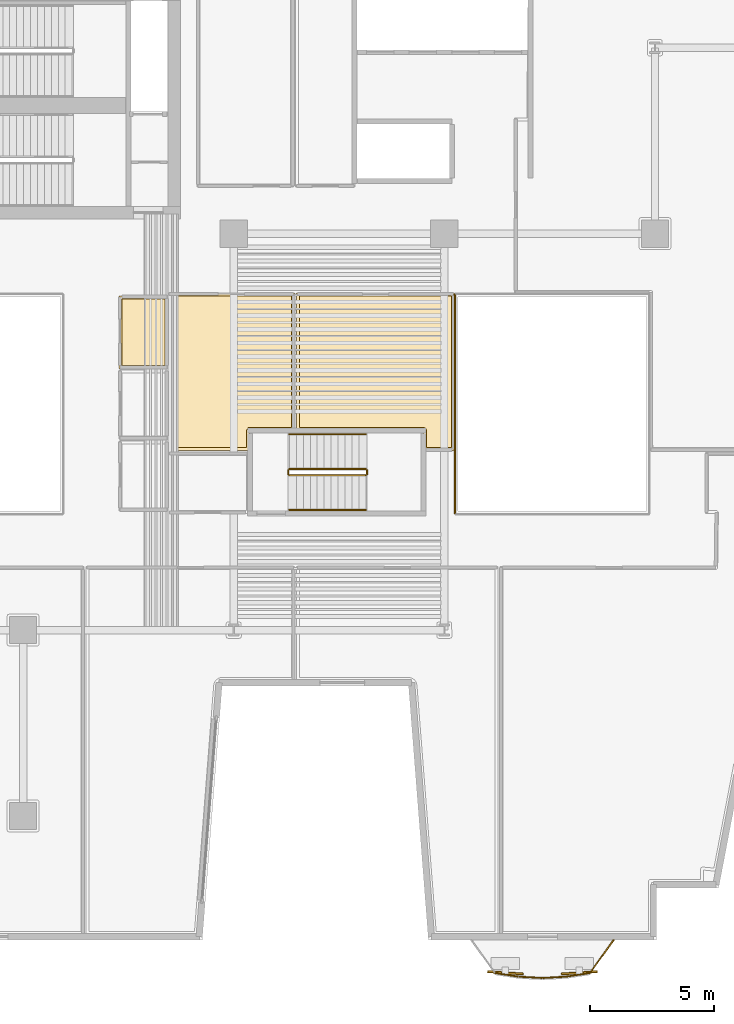
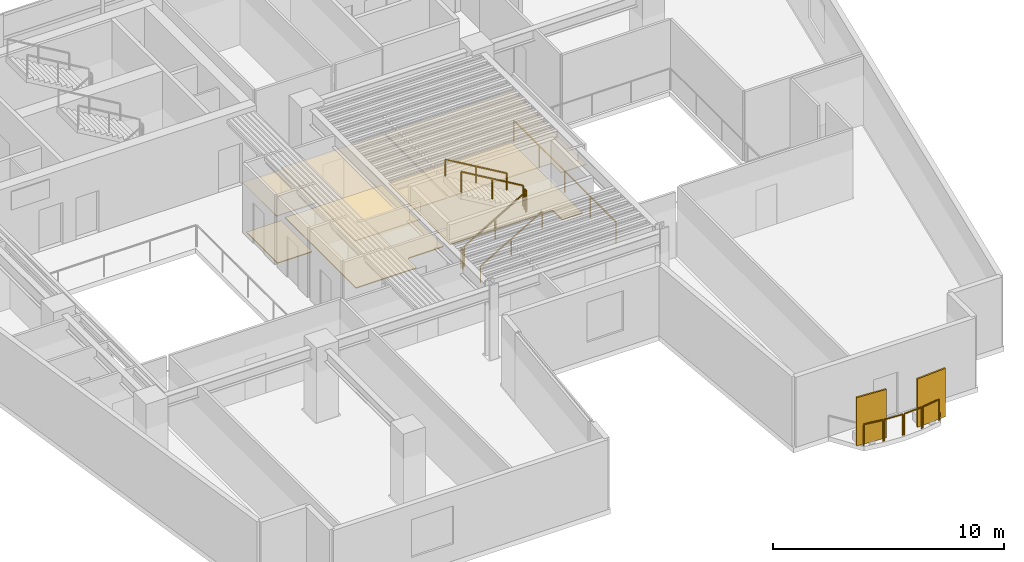
# One storey, part 10 of 12: 12 railings, 6 coverings, 2 shading devices.
"""IFC4 building model written with IfcOpenShell, lengths in metres."""

import ifcopenshell
import ifcopenshell.guid

model = None  # the IFC model being written
_history = None  # IfcOwnerHistory: only IFC2X3 demands one
_inside = {}  # id of a spatial element -> (the spatial element, [elements in it])
_under = {}  # id of a project, library or spatial element -> (it, [spatial elements below it])
_declared = {}  # id of a project -> (the project, [libraries it declares])
_typed = {}  # id of a type object -> (the type object, [elements of that type])
_made_of = {}  # id of a material, layer set ... -> (it, [elements and type objects made of it])


def new_model(schema):
    """Start an empty IFC model of exactly this schema.

    Asked for "IFC4X3", IfcOpenShell would pick the latest addendum, in which some entities
    have other attributes; the version numbers below select the first issue.
    IFC2X3 requires an IfcOwnerHistory on every rooted entity: one is made here for all.
    """
    global model, _history
    if schema == "IFC4X3":
        model = ifcopenshell.file(schema_version=(4, 3, 0, 0))
    else:
        model = ifcopenshell.file(schema=schema)
    _inside.clear()
    _under.clear()
    _declared.clear()
    _typed.clear()
    _made_of.clear()
    _history = None
    if model.schema == "IFC2X3":
        org = make("IfcOrganization", Name="unknown")
        user = make(
            "IfcPersonAndOrganization",
            ThePerson=make("IfcPerson", FamilyName="unknown"),
            TheOrganization=org,
        )
        app = make(
            "IfcApplication",
            ApplicationDeveloper=org,
            Version="unknown",
            ApplicationFullName="unknown",
            ApplicationIdentifier="unknown",
        )
        _history = make(
            "IfcOwnerHistory",
            OwningUser=user,
            OwningApplication=app,
            ChangeAction="ADDED",
            CreationDate=0,
        )
    return model


def make(cls, **values):
    """One entity of the class cls with the attributes given. An attribute that is None is left unset."""
    return model.create_entity(
        cls, **{name: value for name, value in values.items() if value is not None}
    )


def rooted(cls, **values):
    """An entity with a GlobalId (a new one), such as an element, a storey or a relation."""
    return make(cls, GlobalId=ifcopenshell.guid.new(), OwnerHistory=_history, **values)


def si_unit(unit_type, name, prefix=None):
    """IfcSIUnit, for example si_unit("LENGTHUNIT", "METRE", prefix="MILLI")."""
    return make("IfcSIUnit", UnitType=unit_type, Prefix=prefix, Name=name)


def assignment(units):
    """IfcUnitAssignment: the units of a project."""
    return None if units is None else make("IfcUnitAssignment", Units=units)


def point(xyz):
    """IfcCartesianPoint."""
    return None if xyz is None else make("IfcCartesianPoint", Coordinates=xyz)


def direction(xyz):
    """IfcDirection."""
    return None if xyz is None else make("IfcDirection", DirectionRatios=xyz)


def frame(location, z_axis=None, x_axis=None):
    """IfcAxis2Placement3D, a coordinate frame: its origin and axes. An axis left out is left unset."""
    return make(
        "IfcAxis2Placement3D",
        Location=point(location),
        Axis=direction(z_axis),
        RefDirection=direction(x_axis),
    )


def frame_2d(location, x_axis=None):
    """IfcAxis2Placement2D, a coordinate frame in the plane: its origin and x axis."""
    return make(
        "IfcAxis2Placement2D", Location=point(location), RefDirection=direction(x_axis)
    )


def origin():
    """The frame at (0, 0, 0) with its axes left unset."""
    return frame((0.0, 0.0, 0.0))


def origin_2d():
    """The frame at (0, 0) in the plane with its x axis left unset."""
    return frame_2d((0.0, 0.0))


def place(relative_to, where):
    """IfcLocalPlacement: puts the frame where relative to a parent placement (None: the world)."""
    return make(
        "IfcLocalPlacement", PlacementRelTo=relative_to, RelativePlacement=where
    )


def context(
    kind, dimensions, precision=None, world=None, true_north=None, identifier=None
):
    """IfcGeometricRepresentationContext, for example the 3D "Model" context."""
    return make(
        "IfcGeometricRepresentationContext",
        ContextIdentifier=identifier,
        ContextType=kind,
        CoordinateSpaceDimension=dimensions,
        Precision=precision,
        WorldCoordinateSystem=world,
        TrueNorth=true_north,
    )


def subcontext(parent, identifier, kind, view, scale=None):
    """IfcGeometricRepresentationSubContext, for example "Body" below "Model"."""
    return make(
        "IfcGeometricRepresentationSubContext",
        ContextIdentifier=identifier,
        ContextType=kind,
        ParentContext=parent,
        TargetScale=scale,
        TargetView=view,
    )


def project(units=None, contexts=None):
    """IfcProject with its units and contexts."""
    return rooted(
        "IfcProject",
        Name="project",
        RepresentationContexts=contexts,
        UnitsInContext=assignment(units),
    )


def spatial(cls, under=None, at=None, **own):
    """A site, building, storey or space (cls), placed at a placement, below another one or the project."""
    s = rooted(cls, ObjectPlacement=at, **own)
    if under is not None:
        _under.setdefault(under.id(), (under, []))[1].append(s)
    return s


def polyline(points):
    """IfcPolyline through the points."""
    return make("IfcPolyline", Points=[point(p) for p in points])


def profile(cls, at=None, kind="AREA", **sizes):
    """A parametric profile (cls). Its sizes go by their IFC names, for example OverallWidth=200.0."""
    return make(cls, ProfileType=kind, Position=at, **sizes)


def rectangle(**sizes):
    """IfcRectangleProfileDef."""
    return profile("IfcRectangleProfileDef", **sizes)


def outline(outer, holes=None, kind="AREA"):
    """IfcArbitraryClosedProfileDef: a profile drawn as a closed curve; with holes, ...WithVoids."""
    if holes is None:
        return make("IfcArbitraryClosedProfileDef", ProfileType=kind, OuterCurve=outer)
    return make(
        "IfcArbitraryProfileDefWithVoids",
        ProfileType=kind,
        OuterCurve=outer,
        InnerCurves=holes,
    )


def extrude(swept, where, along, depth):
    """IfcExtrudedAreaSolid: the profile swept, set in the frame where, extruded along a direction by depth."""
    return make(
        "IfcExtrudedAreaSolid",
        SweptArea=swept,
        Position=where,
        ExtrudedDirection=direction(along),
        Depth=depth,
    )


def shape(context_of_items, identifier, shape_type, items):
    """IfcShapeRepresentation: the items that make up one representation, for example the "Body"."""
    return make(
        "IfcShapeRepresentation",
        ContextOfItems=context_of_items,
        RepresentationIdentifier=identifier,
        RepresentationType=shape_type,
        Items=items,
    )


def material(Name=None, Category=None):
    """IfcMaterial."""
    return make("IfcMaterial", Name=Name, Category=Category)


def layer(
    of_material, thickness, ventilated=None, Name=None, Category=None, Priority=None
):
    """IfcMaterialLayer: one layer of a wall or slab, of a material (None: an air gap)."""
    return make(
        "IfcMaterialLayer",
        Material=of_material,
        LayerThickness=thickness,
        IsVentilated=ventilated,
        Name=Name,
        Category=Category,
        Priority=Priority,
    )


def layer_set(layers, Name=None):
    """IfcMaterialLayerSet."""
    return make("IfcMaterialLayerSet", MaterialLayers=layers, LayerSetName=Name)


def made_of(thing, what):
    """Note that an element or type object is made of a material, layer set ...; save() writes the relation."""
    if what is not None:
        _made_of.setdefault(what.id(), (what, []))[1].append(thing)
    return thing


def type_object(cls, material=None, **own):
    """A type object (cls), such as IfcWallType, which elements share."""
    return made_of(rooted(cls, **own), material)


def element(
    cls,
    number,
    at=None,
    inside=None,
    cuts=None,
    type_object=None,
    material=None,
    context=None,
    identifier="Body",
    shape_type=None,
    held_by="IfcProductDefinitionShape",
    body=None,
    shapes=None,
    **own,
):
    """One element of the class cls, such as IfcWall. Its Tag is "e" and its number.

    at: its placement. inside: the storey or other place that contains it. cuts: it is an
    opening in that element (IfcRelVoidsElement). A single representation is given by context,
    identifier, shape_type and body (its items); several are given by shapes. held_by: the class
    of the entity that holds the representations. save() writes the other relations.
    """
    e = rooted(cls, Tag="e%d" % number, ObjectPlacement=at, **own)
    if body is not None:
        shapes = [shape(context, identifier, shape_type, body)]
    if shapes is not None:
        e.Representation = make(held_by, Representations=shapes)
    if inside is not None:
        _inside.setdefault(inside.id(), (inside, []))[1].append(e)
    if cuts is not None:
        rooted(
            "IfcRelVoidsElement", RelatingBuildingElement=cuts, RelatedOpeningElement=e
        )
    if type_object is not None:
        _typed.setdefault(type_object.id(), (type_object, []))[1].append(e)
    return made_of(e, material)


def aggregate(whole, parts):
    """IfcRelAggregates: a whole, such as a stair, and the parts it consists of."""
    return rooted("IfcRelAggregates", RelatingObject=whole, RelatedObjects=parts)


def save(model, path):
    """Write the relations noted so far, then the file.

    IfcRelAggregates (storeys below a building ...), IfcRelContainedInSpatialStructure (elements
    in a storey), IfcRelDefinesByType, IfcRelAssociatesMaterial and IfcRelDeclares: one each for
    every whole, place, type object, material and project.
    """
    for whole, parts in _under.values():
        aggregate(whole, parts)
    for where, things in _inside.values():
        rooted(
            "IfcRelContainedInSpatialStructure",
            RelatedElements=things,
            RelatingStructure=where,
        )
    for kind, things in _typed.values():
        rooted("IfcRelDefinesByType", RelatedObjects=things, RelatingType=kind)
    for what, things in _made_of.values():
        rooted("IfcRelAssociatesMaterial", RelatedObjects=things, RelatingMaterial=what)
    for by, libraries in _declared.values():
        rooted("IfcRelDeclares", RelatingContext=by, RelatedDefinitions=libraries)
    model.write(path)


model = new_model("IFC4")

# Units and contexts
model_context = context("Model", 3, precision=1e-05, world=origin(), true_north=direction((0.0, 1.0)))
body_context = subcontext(model_context, "Body", "Model", "MODEL_VIEW")
ifc_project = project(units=[si_unit("LENGTHUNIT", "METRE"), si_unit("AREAUNIT", "SQUARE_METRE"), si_unit("VOLUMEUNIT", "CUBIC_METRE"), si_unit("PLANEANGLEUNIT", "RADIAN"), si_unit("MASSUNIT", "GRAM", prefix="KILO")], contexts=[model_context])

# Site, building, storey
site_placement = place(None, origin())
site = spatial("IfcSite", under=ifc_project, at=site_placement, CompositionType="ELEMENT")
building_placement = place(site_placement, origin())
building = spatial("IfcBuilding", under=site, at=building_placement, Name="Caeloran Harvest Quay", CompositionType="ELEMENT")
storey_placement = place(building_placement, frame((0.0, 0.0, 146.949951171875)))
storey = spatial("IfcBuildingStorey", under=building, at=storey_placement, Name="L34", CompositionType="ELEMENT", Elevation=146.949951171875)

# Coverings
ifc_material_1 = material(Name="Perforated Mineral-Fibre Acoustic Ceiling Tile", Category="ceiling")
ifc_layer_1 = layer(ifc_material_1, 0.0400390625, Name="Perforated Mineral-Fibre Acoustic Ceiling Tile")
ifc_layer_set_1 = layer_set([ifc_layer_1], Name="Perforated Mineral-Fibre Acoustic Ceiling Tile")
covering_type_1 = type_object("IfcCoveringType", Name="COV-CEILING-ACOUSTIC", PredefinedType="CEILING", material=ifc_layer_set_1)
covering_1_placement = place(storey_placement, frame((0.0, 0.0, 2.60009765625)))
element("IfcCovering", 1, at=covering_1_placement, inside=storey, type_object=covering_type_1, Name="L34 Male Washroom WC Acoustic Ceiling", PredefinedType="CEILING", context=body_context, shape_type="SweptSolid", body=[
    extrude(outline(polyline([(22.840087890625, 25.56005859375), (20.8701171875, 25.56005859375), (20.8701171875, 28.489990234375), (22.840087890625, 28.489990234375), (22.840087890625, 25.56005859375)])), origin(), (0.0, 0.0, 1.0), 0.0400390625),
])
covering_2_placement = place(storey_placement, frame((0.0, 0.0, 2.60009765625)))
element("IfcCovering", 2, at=covering_2_placement, inside=storey, type_object=covering_type_1, Name="Client Reception Salon Lounge Acoustic Ceiling", PredefinedType="CEILING", context=body_context, shape_type="SweptSolid", body=[
    extrude(outline(polyline([(22.8701171875, 28.512939453125), (22.85009765625, 28.52001953125), (22.85009765625, 28.610107421875), (27.9599609375, 28.610107421875), (27.9599609375, 23.06005859375), (26.139892578125, 23.06005859375), (26.139892578125, 22.239990234375), (22.8701171875, 22.239990234375), (22.8701171875, 28.512939453125)])), origin(), (0.0, 0.0, 1.0), 0.0400390625),
])
covering_3_placement = place(storey_placement, frame((0.0, 0.0, 2.60009765625)))
element("IfcCovering", 3, at=covering_3_placement, inside=storey, type_object=covering_type_1, Name="Supply-Chain Digital Trading Floor Office 9 Acoustic Ceiling", PredefinedType="CEILING", context=body_context, shape_type="SweptSolid", body=[
    extrude(outline(polyline([(33.159912109375, 23.06005859375), (28.0400390625, 23.06005859375), (28.0400390625, 28.610107421875), (34.409912109375, 28.610107421875), (34.409912109375, 22.239990234375), (33.159912109375, 22.239990234375), (33.159912109375, 23.06005859375)])), origin(), (0.0, 0.0, 1.0), 0.0400390625),
])
ifc_material_2 = material(Name="Calcium-Sulphate Raised Access Floor and Terrazzo Finish", Category="flooring")
ifc_layer_2 = layer(ifc_material_2, 0.050048828125, Name="Calcium-Sulphate Raised Access Floor and Terrazzo Finish")
ifc_layer_set_2 = layer_set([ifc_layer_2], Name="Calcium-Sulphate Raised Access Floor and Terrazzo Finish")
covering_type_2 = type_object("IfcCoveringType", Name="COV-FLOOR-RAISED", PredefinedType="FLOORING", material=ifc_layer_set_2)
covering_4_placement = place(storey_placement, origin())
element("IfcCovering", 4, at=covering_4_placement, inside=storey, type_object=covering_type_2, Name="L34 Male Washroom WC Raised Finish Flooring", PredefinedType="FLOORING", context=body_context, shape_type="SweptSolid", body=[
    extrude(outline(polyline([(22.719970703125, 25.679931640625), (20.989990234375, 25.679931640625), (20.989990234375, 28.3701171875), (22.719970703125, 28.3701171875), (22.719970703125, 25.679931640625)])), origin(), (0.0, 0.0, 1.0), 0.050048828125),
])
covering_5_placement = place(storey_placement, origin())
element("IfcCovering", 5, at=covering_5_placement, inside=storey, type_object=covering_type_2, Name="Client Reception Salon Lounge Raised Finish Flooring", PredefinedType="FLOORING", context=body_context, shape_type="SweptSolid", body=[
    extrude(outline(polyline([(22.989990234375, 28.489990234375), (27.840087890625, 28.489990234375), (27.840087890625, 23.179931640625), (26.084228515625, 23.169921875), (26.020263671875, 23.076904296875), (26.02001953125, 22.360107421875), (22.989990234375, 22.360107421875), (22.989990234375, 28.489990234375)])), origin(), (0.0, 0.0, 1.0), 0.050048828125),
])
covering_6_placement = place(storey_placement, origin())
element("IfcCovering", 6, at=covering_6_placement, inside=storey, type_object=covering_type_2, Name="Supply-Chain Digital Trading Floor Office 9 Raised Finish Flooring", PredefinedType="FLOORING", context=body_context, shape_type="SweptSolid", body=[
    extrude(outline(polyline([(33.280029296875, 23.070068359375), (33.25048828125, 23.14501953125), (33.169921875, 23.179931640625), (28.159912109375, 23.179931640625), (28.159912109375, 28.489990234375), (34.2900390625, 28.489990234375), (34.2900390625, 22.360107421875), (33.280029296875, 22.360107421875), (33.280029296875, 23.070068359375)])), origin(), (0.0, 0.0, 1.0), 0.050048828125),
])

# Railings
ifc_material_3 = material(Name="Powder-Coated Steel Post and Laminated Glass Guardrail", Category="steel")
ifc_layer_3 = layer(ifc_material_3, 0.06005859375, Name="Powder-Coated Steel Post and Laminated Glass Guardrail")
ifc_layer_set_3 = layer_set([ifc_layer_3], Name="Powder-Coated Steel Post and Laminated Glass Guardrail")
railing_type_1 = type_object("IfcRailingType", Name="GUARD-ATRIUM-1150", PredefinedType="GUARDRAIL", material=ifc_layer_set_3)
railing_1_placement = place(storey_placement, frame((34.429931640625, 28.5380859375, 0.0)))
element("IfcRailing", 7, at=railing_1_placement, inside=storey, type_object=railing_type_1, Name="L34 East Botanical Lightwell Guardrail Seg 4", PredefinedType="GUARDRAIL", context=body_context, shape_type="SweptSolid", body=[
    extrude(rectangle(XDim=0.048095703125, YDim=0.048095703125, at=origin_2d()), frame((0.0, 0.0, 1.1259765625), z_axis=(0.0, -1.0, 0.0), x_axis=(1.0, 0.0, 0.0)), (0.0, 0.0, 1.0), 8.826171875),
    extrude(rectangle(XDim=0.0419921875, YDim=0.0419921875, at=origin_2d()), origin(), (0.0, 0.0, 1.0), 1.101806640625),
    extrude(rectangle(XDim=0.0419921875, YDim=0.0419921875, at=origin_2d()), frame((0.0, -2.20654296875, 0.0)), (0.0, 0.0, 1.0), 1.101806640625),
    extrude(rectangle(XDim=0.0419921875, YDim=0.0419921875, at=origin_2d()), frame((0.0, -4.4130859375, 0.0)), (0.0, 0.0, 1.0), 1.101806640625),
    extrude(rectangle(XDim=0.0419921875, YDim=0.0419921875, at=origin_2d()), frame((0.0, -6.61962890625, 0.0)), (0.0, 0.0, 1.0), 1.101806640625),
    extrude(rectangle(XDim=0.0419921875, YDim=0.0419921875, at=origin_2d()), frame((0.0, -8.826171875, 0.0)), (0.0, 0.0, 1.0), 1.101806640625),
])
ifc_material_4 = material(Name="Laminated Safety Glass and Stainless Steel 316", Category="steel")
ifc_layer_4 = layer(ifc_material_4, 0.06005859375, Name="Laminated Safety Glass and Stainless Steel 316")
ifc_layer_set_4 = layer_set([ifc_layer_4], Name="Laminated Safety Glass and Stainless Steel 316")
railing_type_2 = type_object("IfcRailingType", Name="GUARD-BALUSTRADE-1150", PredefinedType="BALUSTRADE", material=ifc_layer_set_4)
railing_2_placement = place(storey_placement, frame((40.825927734375, 2.47998046875, 0.0)))
element("IfcRailing", 8, at=railing_2_placement, inside=storey, type_object=railing_type_2, Name="L34 Planted Balcony Perimeter Balustrade Guard Seg 1", PredefinedType="BALUSTRADE", context=body_context, shape_type="SweptSolid", body=[
    extrude(rectangle(XDim=0.048095703125, YDim=0.048095703125, at=origin_2d()), frame((0.0, 0.0, 1.1259765625), z_axis=(-0.58654437313, -0.809917093504, 0.0), x_axis=(0.809917093504, -0.58654437313, 0.0)), (0.0, 0.0, 1.0), 1.597900390625),
    extrude(rectangle(XDim=0.0419921875, YDim=0.0419921875, at=origin_2d()), origin(), (0.0, 0.0, 1.0), 1.101806640625),
    extrude(rectangle(XDim=0.0419921875, YDim=0.0419921875, at=origin_2d()), frame((-0.937255859375, -1.294189453125, 0.0)), (0.0, 0.0, 1.0), 1.101806640625),
])
railing_3_placement = place(storey_placement, frame((39.838134765625, 1.1552734375, 0.0)))
element("IfcRailing", 9, at=railing_3_placement, inside=storey, type_object=railing_type_2, Name="L34 Planted Balcony Perimeter Balustrade Guard Seg 2", PredefinedType="BALUSTRADE", context=body_context, shape_type="SweptSolid", body=[
    extrude(rectangle(XDim=0.048095703125, YDim=0.048095703125, at=origin_2d()), frame((0.0, 0.0, 1.1259765625), z_axis=(-0.988437224275, -0.151630648843, 0.0), x_axis=(0.151630648843, -0.988437224275, 0.0)), (0.0, 0.0, 1.0), 0.9033203125),
    extrude(rectangle(XDim=0.0419921875, YDim=0.0419921875, at=origin_2d()), origin(), (0.0, 0.0, 1.0), 1.101806640625),
    extrude(rectangle(XDim=0.0419921875, YDim=0.0419921875, at=origin_2d()), frame((-0.892822265625, -0.136962890625, 0.0)), (0.0, 0.0, 1.0), 1.101806640625),
])
railing_4_placement = place(storey_placement, frame((38.8818359375, 1.01171875, 0.0)))
element("IfcRailing", 10, at=railing_4_placement, inside=storey, type_object=railing_type_2, Name="L34 Planted Balcony Perimeter Balustrade Guard Seg 3", PredefinedType="BALUSTRADE", context=body_context, shape_type="SweptSolid", body=[
    extrude(rectangle(XDim=0.048095703125, YDim=0.048095703125, at=origin_2d()), frame((0.0, 0.0, 1.1259765625), z_axis=(-0.998446031047, -0.055727220338, 0.0), x_axis=(0.055727220338, -0.998446031047, 0.0)), (0.0, 0.0, 1.0), 0.893798828125),
    extrude(rectangle(XDim=0.0419921875, YDim=0.0419921875, at=origin_2d()), origin(), (0.0, 0.0, 1.0), 1.101806640625),
    extrude(rectangle(XDim=0.0419921875, YDim=0.0419921875, at=origin_2d()), frame((-0.892333984375, -0.0498046875, 0.0)), (0.0, 0.0, 1.0), 1.101806640625),
])
railing_5_placement = place(storey_placement, frame((37.925537109375, 0.9619140625, 0.0)))
element("IfcRailing", 11, at=railing_5_placement, inside=storey, type_object=railing_type_2, Name="L34 Planted Balcony Perimeter Balustrade Guard Seg 4", PredefinedType="BALUSTRADE", context=body_context, shape_type="SweptSolid", body=[
    extrude(rectangle(XDim=0.048095703125, YDim=0.048095703125, at=origin_2d()), frame((0.0, 0.0, 1.1259765625), z_axis=(-0.998446031047, 0.055727220338, 0.0), x_axis=(-0.055727220338, -0.998446031047, 0.0)), (0.0, 0.0, 1.0), 0.893798828125),
    extrude(rectangle(XDim=0.0419921875, YDim=0.0419921875, at=origin_2d()), origin(), (0.0, 0.0, 1.0), 1.101806640625),
    extrude(rectangle(XDim=0.0419921875, YDim=0.0419921875, at=origin_2d()), frame((-0.892333984375, 0.0498046875, 0.0)), (0.0, 0.0, 1.0), 1.101806640625),
])
railing_6_placement = place(storey_placement, frame((36.9697265625, 1.018310546875, 0.0)))
element("IfcRailing", 12, at=railing_6_placement, inside=storey, type_object=railing_type_2, Name="L34 Planted Balcony Perimeter Balustrade Guard Seg 5", PredefinedType="BALUSTRADE", context=body_context, shape_type="SweptSolid", body=[
    extrude(rectangle(XDim=0.048095703125, YDim=0.048095703125, at=origin_2d()), frame((0.0, 0.0, 1.1259765625), z_axis=(-0.988437224275, 0.151630648843, 0.0), x_axis=(-0.151630648843, -0.988437224275, 0.0)), (0.0, 0.0, 1.0), 0.9033203125),
    extrude(rectangle(XDim=0.0419921875, YDim=0.0419921875, at=origin_2d()), origin(), (0.0, 0.0, 1.0), 1.101806640625),
    extrude(rectangle(XDim=0.0419921875, YDim=0.0419921875, at=origin_2d()), frame((-0.892822265625, 0.136962890625, 0.0)), (0.0, 0.0, 1.0), 1.101806640625),
])

# Shading devices
ifc_material_5 = material(Name="3003-H14 Perforated Powder-Coated Aluminium", Category="aluminium")
shading_device_type = type_object("IfcShadingDeviceType", Name="SHADE-SCREEN-FOLDED", PredefinedType="USERDEFINED", material=ifc_material_5)
for number, where, z_axis, x_axis, name in (
    (13, (39.44921875, 1.169921875, 0.0751953125), (0.0, 0.0, 1.0), (0.997801468292, 0.0662739004, 0.0), "L34 Folded Facade Breathing Screen 1"),
    (14, (36.4658203125, 1.169921875, 0.0751953125), (0.0, 0.0, 1.0), (0.997801468292, -0.0662739004, 0.0), "L34 Folded Facade Breathing Screen 2"),
):
    element("IfcShadingDevice", number, at=place(storey_placement, frame(where, z_axis=z_axis, x_axis=x_axis)), inside=storey, type_object=shading_device_type, Name=name, ObjectType="SCREEN", PredefinedType="USERDEFINED", context=body_context, shape_type="SweptSolid", body=[
        extrude(rectangle(XDim=1.449951171875, YDim=0.080078125, at=origin_2d()), origin(), (0.0, 0.0, 1.0), 2.550048828125),
    ])

# Railings
ifc_material_6 = material(Name="Painted Steel Baluster and Top-Rail Stair Guard", Category="steel")
ifc_layer_5 = layer(ifc_material_6, 0.050048828125, Name="Painted Steel Baluster and Top-Rail Stair Guard")
ifc_layer_set_5 = layer_set([ifc_layer_5], Name="Painted Steel Baluster and Top-Rail Stair Guard")
railing_type_3 = type_object("IfcRailingType", Name="STAIR-GUARD-1100", PredefinedType="GUARDRAIL", material=ifc_layer_set_5)
railing_7_placement = place(storey_placement, frame((27.75, 21.25, 0.16455078125)))
element("IfcRailing", 15, at=railing_7_placement, inside=storey, type_object=railing_type_3, Name="L34 ST-W1 stair guard 1", PredefinedType="GUARDRAIL", context=body_context, shape_type="SweptSolid", body=[
    extrude(rectangle(XDim=0.048095703125, YDim=0.048095703125, at=origin_2d()), frame((0.0, 0.0, 1.076171875), z_axis=(0.862088758681, 0.0, 0.506757310905), x_axis=(0.0, 1.0, 0.0)), (0.0, 0.0, 1.0), 3.57275390625),
    extrude(rectangle(XDim=0.0419921875, YDim=0.0419921875, at=origin_2d()), origin(), (0.0, 0.0, 1.0), 1.052001953125),
    extrude(rectangle(XDim=0.0419921875, YDim=0.0419921875, at=origin_2d()), frame((1.5400390625, 0.0, 0.9052734375)), (0.0, 0.0, 1.0), 1.052001953125),
    extrude(rectangle(XDim=0.0419921875, YDim=0.0419921875, at=origin_2d()), frame((3.080078125, 0.0, 1.810546875)), (0.0, 0.0, 1.0), 1.052001953125),
])
railing_8_placement = place(storey_placement, frame((30.8798828125, 21.300048828125, 1.97509765625)))
element("IfcRailing", 16, at=railing_8_placement, inside=storey, type_object=railing_type_3, Name="L34 ST-W1 stair guard 2", PredefinedType="GUARDRAIL", context=body_context, shape_type="SweptSolid", body=[
    extrude(rectangle(XDim=0.048095703125, YDim=0.048095703125, at=origin_2d()), frame((0.0, 0.0, 1.076171875), z_axis=(0.0, 1.0, 0.0), x_axis=(-1.0, 0.0, 0.0)), (0.0, 0.0, 1.0), 0.14990234375),
    extrude(rectangle(XDim=0.0419921875, YDim=0.0419921875, at=origin_2d()), origin(), (0.0, 0.0, 1.0), 1.052001953125),
    extrude(rectangle(XDim=0.0419921875, YDim=0.0419921875, at=origin_2d()), frame((0.0, 0.14990234375, 0.0)), (0.0, 0.0, 1.0), 1.052001953125),
])
railing_9_placement = place(storey_placement, frame((30.830078125, 21.5, 2.1396484375)))
element("IfcRailing", 17, at=railing_9_placement, inside=storey, type_object=railing_type_3, Name="L34 ST-W1 stair guard 3", PredefinedType="GUARDRAIL", context=body_context, shape_type="SweptSolid", body=[
    extrude(rectangle(XDim=0.048095703125, YDim=0.048095703125, at=origin_2d()), frame((0.0, 0.0, 1.076171875), z_axis=(-0.862118610829, 0.0, 0.506706523406), x_axis=(0.0, -1.0, 0.0)), (0.0, 0.0, 1.0), 3.57275390625),
    extrude(rectangle(XDim=0.0419921875, YDim=0.0419921875, at=origin_2d()), origin(), (0.0, 0.0, 1.0), 1.052001953125),
    extrude(rectangle(XDim=0.0419921875, YDim=0.0419921875, at=origin_2d()), frame((-1.5400390625, 0.0, 0.9052734375)), (0.0, 0.0, 1.0), 1.052001953125),
    extrude(rectangle(XDim=0.0419921875, YDim=0.0419921875, at=origin_2d()), frame((-3.080078125, 0.0, 1.810302734375)), (0.0, 0.0, 1.0), 1.052001953125),
])
railing_10_placement = place(storey_placement, frame((27.699951171875, 21.300048828125, 0.0)))
element("IfcRailing", 18, at=railing_10_placement, inside=storey, type_object=railing_type_3, Name="L34 ST-W1 stair guard 4", PredefinedType="GUARDRAIL", context=body_context, shape_type="SweptSolid", body=[
    extrude(rectangle(XDim=0.048095703125, YDim=0.048095703125, at=origin_2d()), frame((0.0, 0.0, 1.076171875), z_axis=(0.0, 1.0, 0.0), x_axis=(-1.0, 0.0, 0.0)), (0.0, 0.0, 1.0), 0.14990234375),
    extrude(rectangle(XDim=0.0419921875, YDim=0.0419921875, at=origin_2d()), origin(), (0.0, 0.0, 1.0), 1.052001953125),
    extrude(rectangle(XDim=0.0419921875, YDim=0.0419921875, at=origin_2d()), frame((0.0, 0.14990234375, 0.0)), (0.0, 0.0, 1.0), 1.052001953125),
])
ifc_material_7 = material(Name="Brushed Stainless Steel Grade 304", Category="steel")
ifc_layer_6 = layer(ifc_material_7, 0.050048828125, Name="Brushed Stainless Steel Grade 304")
ifc_layer_set_6 = layer_set([ifc_layer_6], Name="Brushed Stainless Steel Grade 304")
railing_type_4 = type_object("IfcRailingType", Name="STAIR-HANDRAIL-900", PredefinedType="HANDRAIL", material=ifc_layer_set_6)
railing_11_placement = place(storey_placement, frame((27.75, 19.85009765625, 0.16455078125)))
element("IfcRailing", 19, at=railing_11_placement, inside=storey, type_object=railing_type_4, Name="L34 ST-W1 stair handrail 1", PredefinedType="HANDRAIL", context=body_context, shape_type="SweptSolid", body=[
    extrude(rectangle(XDim=0.048095703125, YDim=0.048095703125, at=origin_2d()), frame((0.0, 0.0, 0.8759765625), z_axis=(0.862088758681, 0.0, 0.506757310905), x_axis=(0.0, 1.0, 0.0)), (0.0, 0.0, 1.0), 3.57275390625),
    extrude(rectangle(XDim=0.0419921875, YDim=0.0419921875, at=origin_2d()), origin(), (0.0, 0.0, 1.0), 0.851806640625),
    extrude(rectangle(XDim=0.0419921875, YDim=0.0419921875, at=origin_2d()), frame((1.5400390625, 0.0, 0.9052734375)), (0.0, 0.0, 1.0), 0.851806640625),
    extrude(rectangle(XDim=0.0419921875, YDim=0.0419921875, at=origin_2d()), frame((3.080078125, 0.0, 1.810546875)), (0.0, 0.0, 1.0), 0.851806640625),
])
railing_12_placement = place(storey_placement, frame((30.830078125, 22.89990234375, 2.1396484375)))
element("IfcRailing", 20, at=railing_12_placement, inside=storey, type_object=railing_type_4, Name="L34 ST-W1 stair handrail 2", PredefinedType="HANDRAIL", context=body_context, shape_type="SweptSolid", body=[
    extrude(rectangle(XDim=0.048095703125, YDim=0.048095703125, at=origin_2d()), frame((0.0, 0.0, 0.8759765625), z_axis=(-0.862118610829, 0.0, 0.506706523406), x_axis=(0.0, -1.0, 0.0)), (0.0, 0.0, 1.0), 3.57275390625),
    extrude(rectangle(XDim=0.0419921875, YDim=0.0419921875, at=origin_2d()), origin(), (0.0, 0.0, 1.0), 0.851806640625),
    extrude(rectangle(XDim=0.0419921875, YDim=0.0419921875, at=origin_2d()), frame((-1.5400390625, 0.0, 0.9052734375)), (0.0, 0.0, 1.0), 0.851806640625),
    extrude(rectangle(XDim=0.0419921875, YDim=0.0419921875, at=origin_2d()), frame((-3.080078125, 0.0, 1.810302734375)), (0.0, 0.0, 1.0), 0.851806640625),
])

save(model, "model.ifc")
